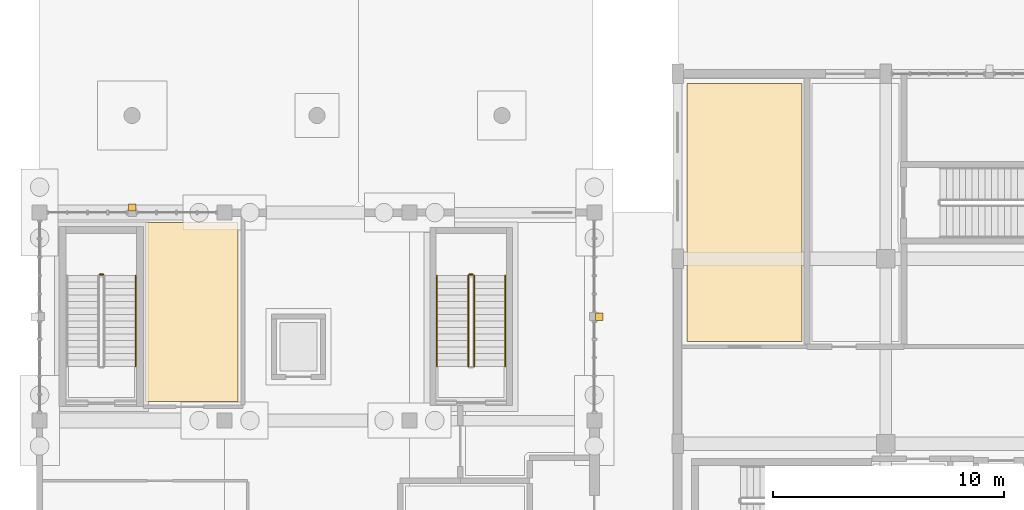
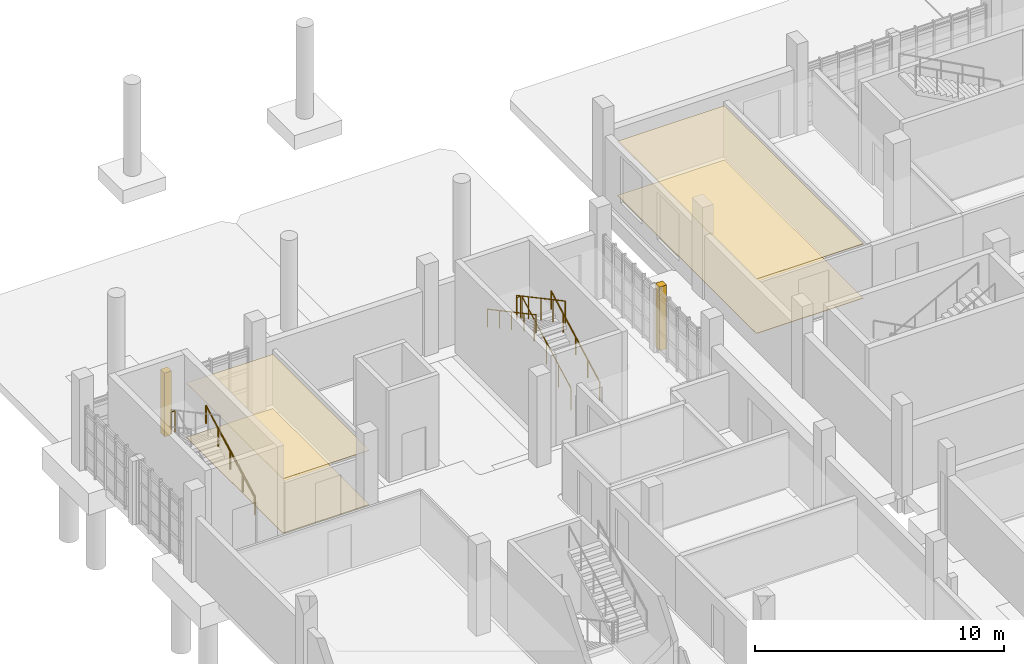
# One storey, part 57 of 63: 7 railings, 6 coverings.
"""IFC4 building model written with IfcOpenShell, lengths in metres."""

from ifc_helpers import new_model, si_unit, direction, frame, origin, origin_2d, place, context, subcontext, project, spatial, polyline, circle, outline, extrude, material, layer, layer_set, type_object, element, save


model = new_model("IFC4")

# Units and contexts
model_context = context("Model", 3, precision=1e-05, world=origin(), true_north=direction((0.0, 1.0)))
body_context = subcontext(model_context, "Body", "Model", "MODEL_VIEW")
ifc_project = project(units=[si_unit("LENGTHUNIT", "METRE"), si_unit("AREAUNIT", "SQUARE_METRE"), si_unit("VOLUMEUNIT", "CUBIC_METRE"), si_unit("PLANEANGLEUNIT", "RADIAN"), si_unit("MASSUNIT", "GRAM", prefix="KILO")], contexts=[model_context])

# Site, building, storey
site_placement = place(None, origin())
site = spatial("IfcSite", under=ifc_project, at=site_placement, CompositionType="ELEMENT")
building_placement = place(site_placement, origin())
building = spatial("IfcBuilding", under=site, at=building_placement, Name="Serraforn Aerial Cableway Station", CompositionType="ELEMENT")
storey_placement = place(building_placement, origin())
storey = spatial("IfcBuildingStorey", under=building, at=storey_placement, Name="L00", CompositionType="ELEMENT", Elevation=0.0)

# Coverings
ifc_material_1 = material(Name="Fluted patinated bronze Art Deco pilaster cladding")
ifc_layer_1 = layer(ifc_material_1, 0.034912109375)
ifc_layer_set_1 = layer_set([ifc_layer_1], Name="Fluted patinated bronze Art Deco pilaster cladding")
covering_type_1 = type_object("IfcCoveringType", Name="COV-CLAD-BRZ", PredefinedType="CLADDING", material=ifc_layer_set_1)
covering_1_placement = place(storey_placement, origin())
element("IfcCovering", 1, at=covering_1_placement, inside=storey, type_object=covering_type_1, Name="Art Deco Bronze Pilaster Cladding W-L00-N1", PredefinedType="CLADDING", context=body_context, shape_type="SweptSolid", body=[
    extrude(outline(polyline([(3.840087890625, 36.06005859375), (4.159912109375, 36.06005859375), (4.159912109375, 36.3798828125), (3.840087890625, 36.3798828125), (3.840087890625, 36.06005859375)])), origin(), (0.0, 0.0, 1.0), 3.1201171875),
])
covering_2_placement = place(storey_placement, origin())
element("IfcCovering", 2, at=covering_2_placement, inside=storey, type_object=covering_type_1, Name="Art Deco Bronze Pilaster Cladding W-L00-E4", PredefinedType="CLADDING", context=body_context, shape_type="SweptSolid", body=[
    extrude(outline(polyline([(24.06005859375, 31.340087890625), (24.3798828125, 31.340087890625), (24.3798828125, 31.659912109375), (24.06005859375, 31.659912109375), (24.06005859375, 31.340087890625)])), origin(), (0.0, 0.0, 1.0), 3.1201171875),
])
ifc_material_2 = material(Name="Perforated acoustic mineral ceiling")
ifc_layer_2 = layer(ifc_material_2, 0.02490234375)
ifc_layer_set_2 = layer_set([ifc_layer_2], Name="Perforated acoustic mineral ceiling")
covering_type_2 = type_object("IfcCoveringType", Name="COV-CLG-AC", PredefinedType="CEILING", material=ifc_layer_set_2)
covering_3_placement = place(storey_placement, frame((0.0, 0.0, 2.659912109375)))
element("IfcCovering", 3, at=covering_3_placement, inside=storey, type_object=covering_type_2, Name="Suspended Ceiling L00-19", PredefinedType="CEILING", context=body_context, shape_type="SweptSolid", body=[
    extrude(outline(polyline([(4.570068359375, 27.820068359375), (4.570068359375, 35.580078125), (8.580078125, 35.580078125), (8.580078125, 27.820068359375), (4.570068359375, 27.820068359375)])), origin(), (0.0, 0.0, 1.0), 0.025146484375),
])
covering_4_placement = place(storey_placement, frame((0.0, 0.0, 2.659912109375)))
element("IfcCovering", 4, at=covering_4_placement, inside=storey, type_object=covering_type_2, Name="Suspended Ceiling L00-21", PredefinedType="CEILING", context=body_context, shape_type="SweptSolid", body=[
    extrude(outline(polyline([(28.02001953125, 30.419921875), (28.02001953125, 41.580078125), (32.97998046875, 41.580078125), (32.97998046875, 30.419921875), (28.02001953125, 30.419921875)])), origin(), (0.0, 0.0, 1.0), 0.025146484375),
])
ifc_material_3 = material(Name="Catalan geometric terrazzo tile flooring")
ifc_layer_3 = layer(ifc_material_3, 0.02490234375)
ifc_layer_set_3 = layer_set([ifc_layer_3], Name="Catalan geometric terrazzo tile flooring")
covering_type_3 = type_object("IfcCoveringType", Name="COV-FLR-TER", PredefinedType="FLOORING", material=ifc_layer_set_3)
covering_5_placement = place(storey_placement, origin())
element("IfcCovering", 5, at=covering_5_placement, inside=storey, type_object=covering_type_3, Name="Flooring L00-19", PredefinedType="FLOORING", context=body_context, shape_type="SweptSolid", body=[
    extrude(outline(polyline([(4.570068359375, 27.820068359375), (4.570068359375, 35.580078125), (8.580078125, 35.580078125), (8.580078125, 27.820068359375), (4.570068359375, 27.820068359375)])), origin(), (0.0, 0.0, 1.0), 0.02490234375),
])
covering_6_placement = place(storey_placement, origin())
element("IfcCovering", 6, at=covering_6_placement, inside=storey, type_object=covering_type_3, Name="Flooring L00-21", PredefinedType="FLOORING", context=body_context, shape_type="SweptSolid", body=[
    extrude(outline(polyline([(28.02001953125, 30.419921875), (28.02001953125, 41.580078125), (32.97998046875, 41.580078125), (32.97998046875, 30.419921875), (28.02001953125, 30.419921875)])), origin(), (0.0, 0.0, 1.0), 0.02490234375),
])

# Railings
ifc_material_4 = material(Name="Patinated bronze stair guardrail")
ifc_layer_4 = layer(ifc_material_4, 0.050048828125)
ifc_layer_set_4 = layer_set([ifc_layer_4], Name="Patinated bronze stair guardrail")
railing_type_1 = type_object("IfcRailingType", Name="RL-STR-GRD", PredefinedType="GUARDRAIL", material=ifc_layer_set_4)
railing_1_placement = place(storey_placement, frame((2.75, 33.320068359375, 2.25)))
element("IfcRailing", 7, at=railing_1_placement, inside=storey, type_object=railing_type_1, Name="L00 ST-01 stair guard 2", PredefinedType="GUARDRAIL", context=body_context, shape_type="SweptSolid", body=[
    extrude(circle(Radius=0.02392578125, at=origin_2d()), frame((0.0, 0.0, 1.076171875), z_axis=(-1.0, 0.0, 0.0), x_axis=(0.0, -1.0, 0.0)), (0.0, 0.0, 1.0), 0.159912109375),
    extrude(circle(Radius=0.02099609375, at=origin_2d()), origin(), (0.0, 0.0, 1.0), 1.052001953125),
    extrude(circle(Radius=0.02099609375, at=origin_2d()), frame((-0.159912109375, 0.0, 0.0)), (0.0, 0.0, 1.0), 1.052001953125),
])
railing_2_placement = place(storey_placement, frame((18.800048828125, 29.35009765625, 0.14990234375)))
element("IfcRailing", 8, at=railing_2_placement, inside=storey, type_object=railing_type_1, Name="L00 ST-02 stair guard 1", PredefinedType="GUARDRAIL", context=body_context, shape_type="SweptSolid", body=[
    extrude(circle(Radius=0.02392578125, at=origin_2d()), frame((0.0, 0.0, 1.076171875), z_axis=(0.0, 0.881466911329, 0.472245787945), x_axis=(-1.0, 0.0, 0.0)), (0.0, 0.0, 1.0), 4.447021484375),
    extrude(circle(Radius=0.02099609375, at=origin_2d()), origin(), (0.0, 0.0, 1.0), 1.052001953125),
    extrude(circle(Radius=0.02099609375, at=origin_2d()), frame((0.0, 0.97998046875, 0.52490234375)), (0.0, 0.0, 1.0), 1.052001953125),
    extrude(circle(Radius=0.02099609375, at=origin_2d()), frame((0.0, 1.9599609375, 1.050048828125)), (0.0, 0.0, 1.0), 1.052001953125),
    extrude(circle(Radius=0.02099609375, at=origin_2d()), frame((0.0, 2.93994140625, 1.5751953125)), (0.0, 0.0, 1.0), 1.052001953125),
    extrude(circle(Radius=0.02099609375, at=origin_2d()), frame((0.0, 3.919921875, 2.10009765625)), (0.0, 0.0, 1.0), 1.052001953125),
])
railing_3_placement = place(storey_placement, frame((18.75, 33.320068359375, 2.25)))
element("IfcRailing", 9, at=railing_3_placement, inside=storey, type_object=railing_type_1, Name="L00 ST-02 stair guard 2", PredefinedType="GUARDRAIL", context=body_context, shape_type="SweptSolid", body=[
    extrude(circle(Radius=0.02392578125, at=origin_2d()), frame((0.0, 0.0, 1.076171875), z_axis=(-1.0, 0.0, 0.0), x_axis=(0.0, -1.0, 0.0)), (0.0, 0.0, 1.0), 0.159912109375),
    extrude(circle(Radius=0.02099609375, at=origin_2d()), origin(), (0.0, 0.0, 1.0), 1.052001953125),
    extrude(circle(Radius=0.02099609375, at=origin_2d()), frame((-0.159912109375, 0.0, 0.0)), (0.0, 0.0, 1.0), 1.052001953125),
])
railing_4_placement = place(storey_placement, frame((18.5400390625, 33.27001953125, 2.39990234375)))
element("IfcRailing", 10, at=railing_4_placement, inside=storey, type_object=railing_type_1, Name="L00 ST-02 stair guard 3", PredefinedType="GUARDRAIL", context=body_context, shape_type="SweptSolid", body=[
    extrude(circle(Radius=0.02392578125, at=origin_2d()), frame((0.0, 0.0, 1.076171875), z_axis=(0.0, -0.881466911329, 0.472245787945), x_axis=(1.0, 0.0, 0.0)), (0.0, 0.0, 1.0), 4.447021484375),
    extrude(circle(Radius=0.02099609375, at=origin_2d()), origin(), (0.0, 0.0, 1.0), 1.052001953125),
    extrude(circle(Radius=0.02099609375, at=origin_2d()), frame((0.0, -0.97998046875, 0.52490234375)), (0.0, 0.0, 1.0), 1.052001953125),
    extrude(circle(Radius=0.02099609375, at=origin_2d()), frame((0.0, -1.9599609375, 1.050048828125)), (0.0, 0.0, 1.0), 1.052001953125),
    extrude(circle(Radius=0.02099609375, at=origin_2d()), frame((0.0, -2.93994140625, 1.5751953125)), (0.0, 0.0, 1.0), 1.052001953125),
    extrude(circle(Radius=0.02099609375, at=origin_2d()), frame((0.0, -3.919921875, 2.10009765625)), (0.0, 0.0, 1.0), 1.052001953125),
])
ifc_material_5 = material(Name="Brushed bronze tubular handrail")
ifc_layer_5 = layer(ifc_material_5, 0.048095703125)
ifc_layer_set_5 = layer_set([ifc_layer_5], Name="Brushed bronze tubular handrail")
railing_type_2 = type_object("IfcRailingType", Name="RL-STR-HDR", PredefinedType="HANDRAIL", material=ifc_layer_set_5)
for number, where, name in (
    (11, (4.14990234375, 29.35009765625, 0.14990234375), "L00 ST-01 stair handrail 1"),
    (12, (20.14990234375, 29.35009765625, 0.14990234375), "L00 ST-02 stair handrail 1"),
):
    element("IfcRailing", number, at=place(storey_placement, frame(where)), inside=storey, type_object=railing_type_2, Name=name, PredefinedType="HANDRAIL", context=body_context, shape_type="SweptSolid", body=[
        extrude(circle(Radius=0.02392578125, at=origin_2d()), frame((0.0, 0.0, 0.8759765625), z_axis=(0.0, 0.881466911329, 0.472245787945), x_axis=(-1.0, 0.0, 0.0)), (0.0, 0.0, 1.0), 4.447021484375),
        extrude(circle(Radius=0.02099609375, at=origin_2d()), origin(), (0.0, 0.0, 1.0), 0.851806640625),
        extrude(circle(Radius=0.02099609375, at=origin_2d()), frame((0.0, 0.97998046875, 0.52490234375)), (0.0, 0.0, 1.0), 0.851806640625),
        extrude(circle(Radius=0.02099609375, at=origin_2d()), frame((0.0, 1.9599609375, 1.050048828125)), (0.0, 0.0, 1.0), 0.851806640625),
        extrude(circle(Radius=0.02099609375, at=origin_2d()), frame((0.0, 2.93994140625, 1.5751953125)), (0.0, 0.0, 1.0), 0.851806640625),
        extrude(circle(Radius=0.02099609375, at=origin_2d()), frame((0.0, 3.919921875, 2.10009765625)), (0.0, 0.0, 1.0), 0.851806640625),
    ])
railing_5_placement = place(storey_placement, frame((17.18994140625, 33.27001953125, 2.39990234375)))
element("IfcRailing", 13, at=railing_5_placement, inside=storey, type_object=railing_type_2, Name="L00 ST-02 stair handrail 2", PredefinedType="HANDRAIL", context=body_context, shape_type="SweptSolid", body=[
    extrude(circle(Radius=0.02392578125, at=origin_2d()), frame((0.0, 0.0, 0.8759765625), z_axis=(0.0, -0.881466911329, 0.472245787945), x_axis=(1.0, 0.0, 0.0)), (0.0, 0.0, 1.0), 4.447021484375),
    extrude(circle(Radius=0.02099609375, at=origin_2d()), origin(), (0.0, 0.0, 1.0), 0.851806640625),
    extrude(circle(Radius=0.02099609375, at=origin_2d()), frame((0.0, -0.97998046875, 0.52490234375)), (0.0, 0.0, 1.0), 0.851806640625),
    extrude(circle(Radius=0.02099609375, at=origin_2d()), frame((0.0, -1.9599609375, 1.050048828125)), (0.0, 0.0, 1.0), 0.851806640625),
    extrude(circle(Radius=0.02099609375, at=origin_2d()), frame((0.0, -2.93994140625, 1.5751953125)), (0.0, 0.0, 1.0), 0.851806640625),
    extrude(circle(Radius=0.02099609375, at=origin_2d()), frame((0.0, -3.919921875, 2.10009765625)), (0.0, 0.0, 1.0), 0.851806640625),
])

save(model, "model.ifc")
